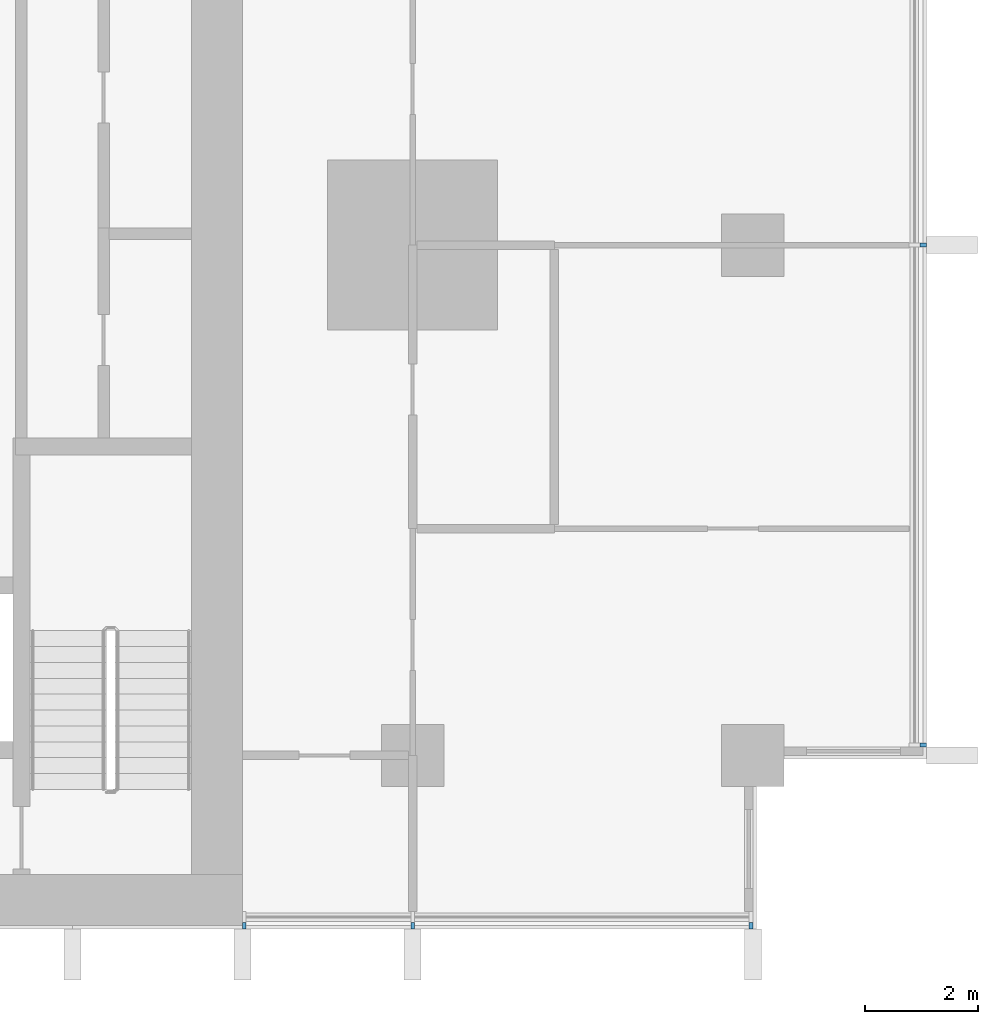
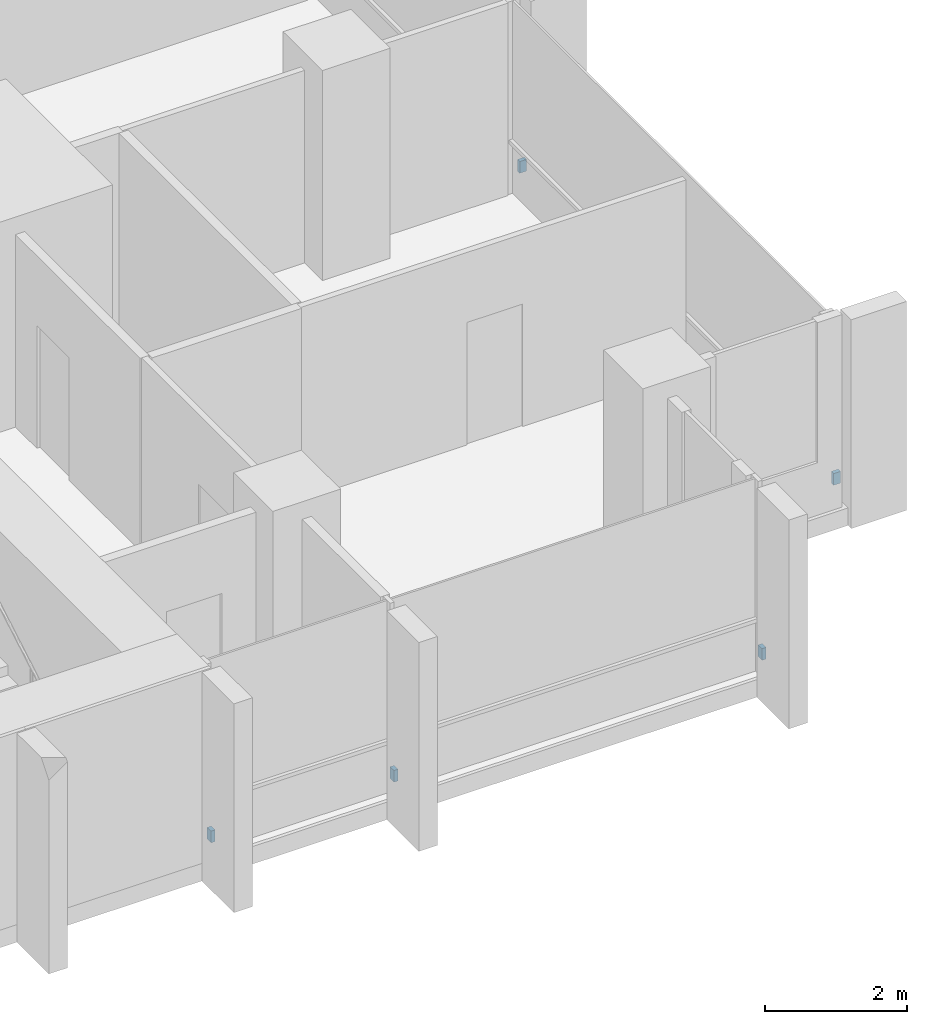
# One storey, part 15 of 18: 5 discrete accessories.
"""IFC4 building model written with IfcOpenShell, lengths in metres."""

from ifc_helpers import new_model, si_unit, direction, frame, origin, origin_2d, place, context, subcontext, project, spatial, rectangle, extrude, material, type_object, element, save


model = new_model("IFC4")

# Units and contexts
model_context = context("Model", 3, precision=1e-05, world=origin(), true_north=direction((0.0, 1.0)))
body_context = subcontext(model_context, "Body", "Model", "MODEL_VIEW")
ifc_project = project(units=[si_unit("LENGTHUNIT", "METRE"), si_unit("AREAUNIT", "SQUARE_METRE"), si_unit("VOLUMEUNIT", "CUBIC_METRE"), si_unit("PLANEANGLEUNIT", "RADIAN"), si_unit("MASSUNIT", "GRAM", prefix="KILO")], contexts=[model_context])

# Site, building, storey
site_placement = place(None, origin())
site = spatial("IfcSite", under=ifc_project, at=site_placement, CompositionType="ELEMENT")
building_placement = place(site_placement, origin())
building = spatial("IfcBuilding", under=site, at=building_placement, Name="Finial Court Residences", CompositionType="ELEMENT")
storey_placement = place(building_placement, frame((0.0, 0.0, 54.10009765625)))
storey = spatial("IfcBuildingStorey", under=building, at=storey_placement, Name="L12", CompositionType="ELEMENT", Elevation=54.10009765625)

# Discrete accessories
ifc_material = material(Name="Stainless steel 316", Category="steel")
discrete_accessory_type = type_object("IfcDiscreteAccessoryType", Name="Fin bracket, stainless steel 65 x 110 x 200", PredefinedType="BRACKET", material=ifc_material)
for number, where, z_axis, x_axis, name in (
    (1, (25.5048828125, -22.3173828125, 0.2998046875), (0.0, 0.0, 1.0), (1.0, 0.0, 0.0), "E-L12-FIN-E9-BRK"),
    (2, (25.5048828125, -13.5, 0.2998046875), (0.0, 0.0, 1.0), (1.0, 0.0, 0.0), "E-L12-FIN-E10-BRK"),
):
    element("IfcDiscreteAccessory", number, at=place(storey_placement, frame(where, z_axis=z_axis, x_axis=x_axis)), inside=storey, type_object=discrete_accessory_type, Name=name, PredefinedType="BRACKET", context=body_context, shape_type="SweptSolid", body=[
        extrude(rectangle(XDim=0.110107421875, YDim=0.06494140625, at=origin_2d()), origin(), (0.0, 0.0, 1.0), 0.199951171875),
    ])
for number, where, z_axis, x_axis, name in (
    (3, (13.532470703125, -25.5048828125, 0.2998046875), (0.0, 0.0, 1.0), (1.0, 0.0, 0.0), "E-L12-FIN-S24-BRK"),
    (4, (16.5, -25.5048828125, 0.2998046875), (0.0, 0.0, 1.0), (1.0, 0.0, 0.0), "E-L12-FIN-S25-BRK"),
    (5, (22.467529296875, -25.5048828125, 0.2998046875), (0.0, 0.0, 1.0), (1.0, 0.0, 0.0), "E-L12-FIN-S26-BRK"),
):
    element("IfcDiscreteAccessory", number, at=place(storey_placement, frame(where, z_axis=z_axis, x_axis=x_axis)), inside=storey, type_object=discrete_accessory_type, Name=name, PredefinedType="BRACKET", context=body_context, shape_type="SweptSolid", body=[
        extrude(rectangle(XDim=0.06494140625, YDim=0.110107421875, at=origin_2d()), origin(), (0.0, 0.0, 1.0), 0.199951171875),
    ])

save(model, "model.ifc")
